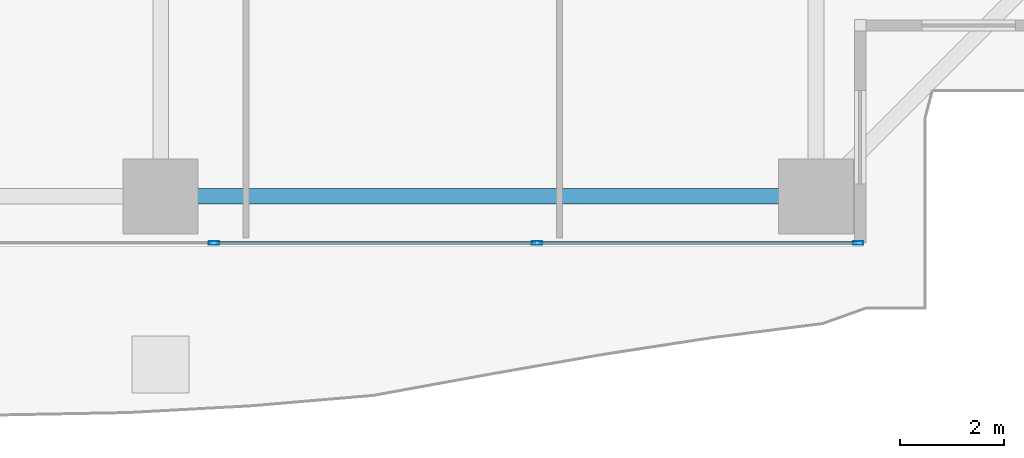
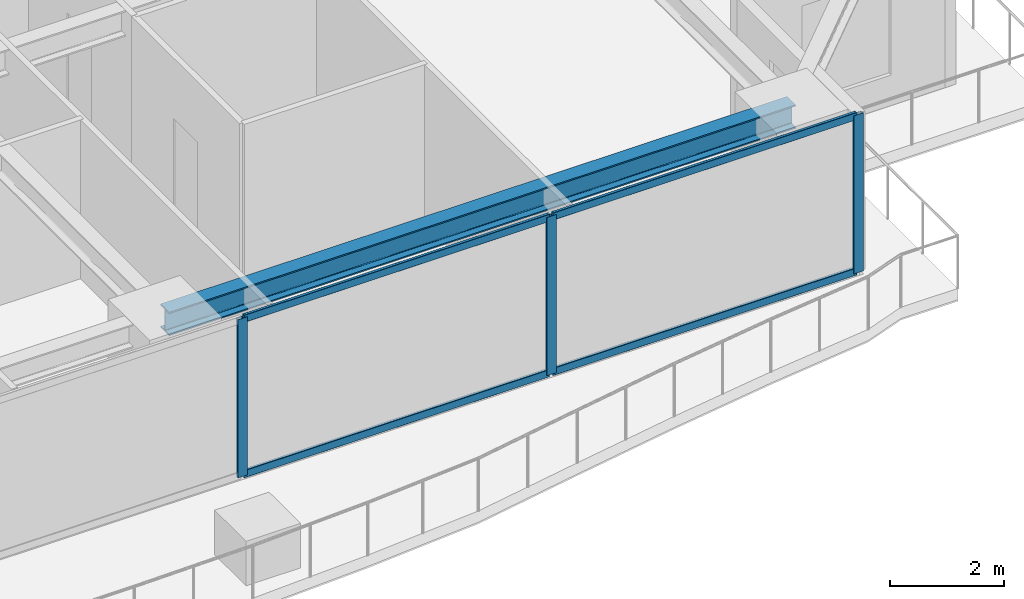
# One storey, part 11 of 40: 7 members, 1 beam, 1 element without a shape of its own.
"""IFC4 building model written with IfcOpenShell, lengths in metres."""

from ifc_helpers import new_model, si_unit, direction, frame, origin, origin_2d, place, context, subcontext, project, spatial, hollow_rectangle, i_section, extrude, source, transform, mapped, material, layer, layer_set, material_profile, profile_set, type_object, element, aggregate, save


model = new_model("IFC4")

# Units and contexts
model_context = context("Model", 3, precision=1e-05, world=origin(), true_north=direction((0.0, 1.0)))
body_context = subcontext(model_context, "Body", "Model", "MODEL_VIEW")
ifc_project = project(units=[si_unit("LENGTHUNIT", "METRE"), si_unit("AREAUNIT", "SQUARE_METRE"), si_unit("VOLUMEUNIT", "CUBIC_METRE"), si_unit("PLANEANGLEUNIT", "RADIAN"), si_unit("MASSUNIT", "GRAM", prefix="KILO")], contexts=[model_context])

# Site, building, storey
site_placement = place(None, origin())
site = spatial("IfcSite", under=ifc_project, at=site_placement, CompositionType="ELEMENT")
building_placement = place(site_placement, origin())
building = spatial("IfcBuilding", under=site, at=building_placement, Name="Serunith Strait Residences", CompositionType="ELEMENT")
storey_placement = place(building_placement, frame((0.0, 0.0, 105.449951171875)))
storey = spatial("IfcBuildingStorey", under=building, at=storey_placement, Name="L26", CompositionType="ELEMENT", Elevation=105.449951171875)

# Beam
ifc_material_1 = material(Name="Steel S355J2", Category="steel")
ifc_material_profile_1 = material_profile(ifc_material_1, i_section(OverallWidth=0.300048828125, OverallDepth=0.5, WebThickness=0.014404296875, FlangeThickness=0.028076171875, FilletRadius=0.027099609375, at=origin_2d()), Name="HEB 500")
ifc_profile_set_1 = profile_set([ifc_material_profile_1], Name="Steel S355J2")
beam_type = type_object("IfcBeamType", Name="BM-HEB500", PredefinedType="BEAM", material=ifc_profile_set_1)
shared_shape_1 = source(origin(), body_context, "Body", "SweptSolid", [
    extrude(i_section(OverallWidth=0.300048828125, OverallDepth=0.5, WebThickness=0.014404296875, FlangeThickness=0.028076171875, FilletRadius=0.027099609375, at=origin_2d()), origin(), (0.0, 0.0, 1.0), 12.650146484375),
])
beam_placement = place(storey_placement, frame((36.89990234375, 1.10009765625, 3.136962890625), z_axis=(1.0, 0.0, 0.0), x_axis=(0.0, 1.0, 0.0)))
element("IfcBeam", 1, at=beam_placement, inside=storey, type_object=beam_type, Name="L26 Perimeter Ring Beam 03", PredefinedType="BEAM", context=body_context, shape_type="MappedRepresentation", body=[
    mapped(shared_shape_1, transform((0.0, 0.0, 0.0), scale=1.0)),
])

# Curtain wall, members
ifc_material_2 = material(Name="Pale-Champagne Anodised Aluminium", Category="aluminium")
ifc_layer = layer(ifc_material_2, 0.199951171875, Name="Pale-Champagne Anodised Aluminium")
ifc_layer_set = layer_set([ifc_layer], Name="Pale-Champagne Anodised Aluminium")
curtain_wall_type = type_object("IfcCurtainWallType", Name="CW-SYS1", PredefinedType="NOTDEFINED", material=ifc_layer_set)
curtain_wall_placement = place(storey_placement, origin())
curtain_wall = element("IfcCurtainWall", 2, at=curtain_wall_placement, inside=storey, type_object=curtain_wall_type, Name="L26 S Unitised Fritted Curtain Wall", PredefinedType="NOTDEFINED")
ifc_material_profile_2 = material_profile(ifc_material_2, hollow_rectangle(XDim=0.06005859375, YDim=0.159912109375, WallThickness=0.00341796875, InnerFilletRadius=0.00537109375, OuterFilletRadius=0.0087890625, at=origin_2d()), Name="ALU 160x60x3.5")
ifc_profile_set_2 = profile_set([ifc_material_profile_2], Name="Pale-Champagne Anodised Aluminium")
member_type_1 = type_object("IfcMemberType", Name="CW-SYS1-TRAN", PredefinedType="USERDEFINED", material=ifc_profile_set_2)
shared_shape_2 = source(origin(), body_context, "Body", "SweptSolid", [
    extrude(hollow_rectangle(XDim=0.06005859375, YDim=0.159912109375, WallThickness=0.00341796875, InnerFilletRadius=0.00537109375, OuterFilletRadius=0.0087890625, at=origin_2d()), origin(), (0.0, 0.0, 1.0), 6.12841796875),
])
member_1_placement = place(storey_placement, frame((44.20166015625, 0.199951171875, 0.030029296875), z_axis=(1.0, 0.0, 0.0), x_axis=(0.0, 1.0, 0.0)))
member_1 = element("IfcMember", 3, at=member_1_placement, type_object=member_type_1, Name="CW-1 transom 3.1", ObjectType="TRANSOM", PredefinedType="USERDEFINED", context=body_context, shape_type="MappedRepresentation", body=[
    mapped(shared_shape_2, transform((0.0, 0.0, 0.0), scale=1.0)),
])
member_2_placement = place(storey_placement, frame((44.20166015625, 0.199951171875, 3.344970703125), z_axis=(1.0, 0.0, 0.0), x_axis=(0.0, 1.0, 0.0)))
member_2 = element("IfcMember", 4, at=member_2_placement, type_object=member_type_1, Name="CW-1 transom 3.2", ObjectType="TRANSOM", PredefinedType="USERDEFINED", context=body_context, shape_type="MappedRepresentation", body=[
    mapped(shared_shape_2, transform((0.0, 0.0, 0.0), scale=1.0)),
])
shared_shape_3 = source(origin(), body_context, "Body", "SweptSolid", [
    extrude(hollow_rectangle(XDim=0.06005859375, YDim=0.159912109375, WallThickness=0.00341796875, InnerFilletRadius=0.00537109375, OuterFilletRadius=0.0087890625, at=origin_2d()), origin(), (0.0, 0.0, 1.0), 6.163330078125),
])
member_3_placement = place(storey_placement, frame((37.96826171875, 0.199951171875, 0.030029296875), z_axis=(1.0, 0.0, 0.0), x_axis=(0.0, 1.0, 0.0)))
member_3 = element("IfcMember", 5, at=member_3_placement, type_object=member_type_1, Name="CW-1 transom 2.1", ObjectType="TRANSOM", PredefinedType="USERDEFINED", context=body_context, shape_type="MappedRepresentation", body=[
    mapped(shared_shape_3, transform((0.0, 0.0, 0.0), scale=1.0)),
])
member_4_placement = place(storey_placement, frame((37.96826171875, 0.199951171875, 3.344970703125), z_axis=(1.0, 0.0, 0.0), x_axis=(0.0, 1.0, 0.0)))
member_4 = element("IfcMember", 6, at=member_4_placement, type_object=member_type_1, Name="CW-1 transom 2.2", ObjectType="TRANSOM", PredefinedType="USERDEFINED", context=body_context, shape_type="MappedRepresentation", body=[
    mapped(shared_shape_3, transform((0.0, 0.0, 0.0), scale=1.0)),
])
ifc_material_profile_3 = material_profile(ifc_material_2, hollow_rectangle(XDim=0.070068359375, YDim=0.199951171875, WallThickness=0.00390625, InnerFilletRadius=0.006103515625, OuterFilletRadius=0.010009765625, at=origin_2d()), Name="ALU 200x70x4")
ifc_profile_set_3 = profile_set([ifc_material_profile_3], Name="Pale-Champagne Anodised Aluminium")
member_type_2 = type_object("IfcMemberType", Name="CW-SYS1-MULL", PredefinedType="MULLION", material=ifc_profile_set_3)
shared_shape_4 = source(origin(), body_context, "Body", "SweptSolid", [
    extrude(hollow_rectangle(XDim=0.070068359375, YDim=0.199951171875, WallThickness=0.00390625, InnerFilletRadius=0.006103515625, OuterFilletRadius=0.010009765625, at=origin_2d()), origin(), (0.0, 0.0, 1.0), 3.375),
])
member_5_placement = place(storey_placement, frame((37.933349609375, 0.199951171875, 0.0), z_axis=(0.0, 0.0, 1.0), x_axis=(0.0, 1.0, 0.0)))
member_5 = element("IfcMember", 7, at=member_5_placement, type_object=member_type_2, Name="CW-1 mullion 2", PredefinedType="MULLION", context=body_context, shape_type="MappedRepresentation", body=[
    mapped(shared_shape_4, transform((0.0, 0.0, 0.0), scale=1.0)),
])
member_6_placement = place(storey_placement, frame((44.166748046875, 0.199951171875, 0.0), z_axis=(0.0, 0.0, 1.0), x_axis=(0.0, 1.0, 0.0)))
member_6 = element("IfcMember", 8, at=member_6_placement, type_object=member_type_2, Name="CW-1 mullion 3", PredefinedType="MULLION", context=body_context, shape_type="MappedRepresentation", body=[
    mapped(shared_shape_4, transform((0.0, 0.0, 0.0), scale=1.0)),
])
member_7_placement = place(storey_placement, frame((50.364990234375, 0.199951171875, 0.0), z_axis=(0.0, 0.0, 1.0), x_axis=(0.0, 1.0, 0.0)))
member_7 = element("IfcMember", 9, at=member_7_placement, type_object=member_type_2, Name="CW-1 mullion 4", PredefinedType="MULLION", context=body_context, shape_type="MappedRepresentation", body=[
    mapped(shared_shape_4, transform((0.0, 0.0, 0.0), scale=1.0)),
])
aggregate(curtain_wall, [member_5, member_6, member_7, member_3, member_4, member_1, member_2])

save(model, "model.ifc")
